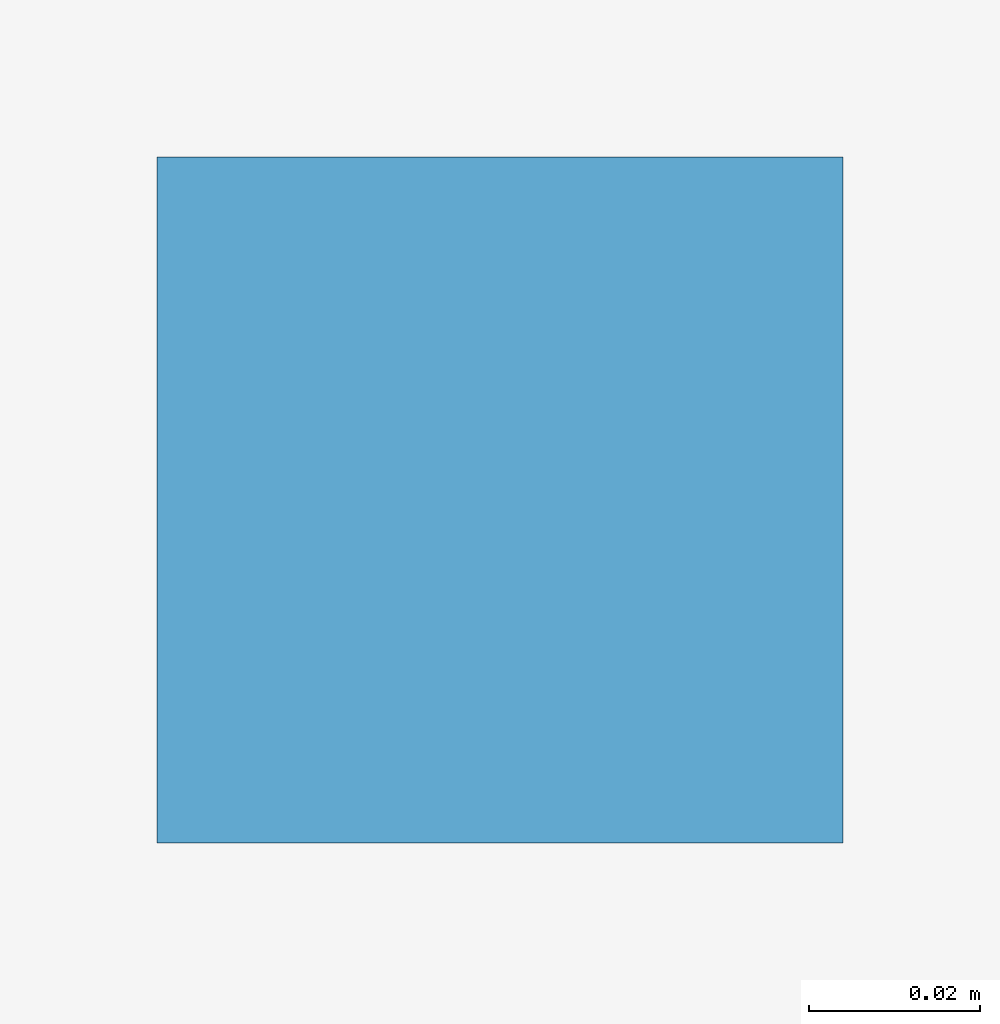
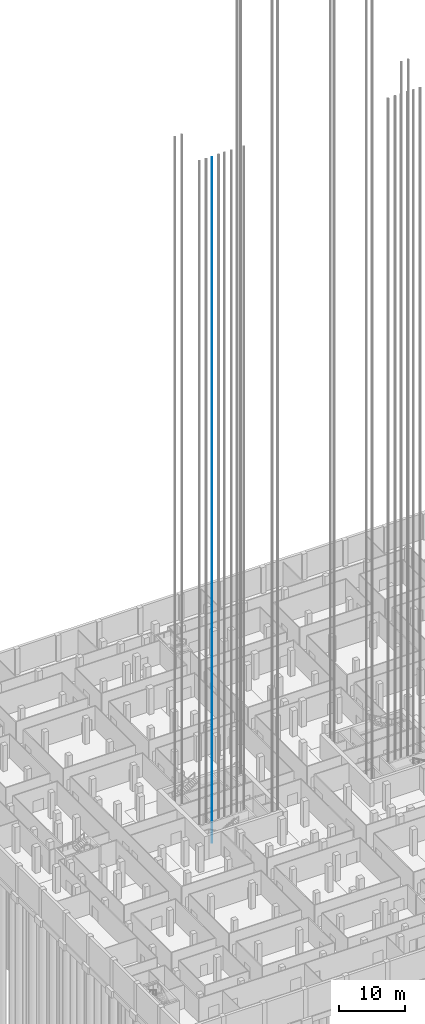
# One storey, part 26 of 54: 1 discrete accessory.
"""IFC4 building model written with IfcOpenShell, lengths in metres."""

from ifc_helpers import new_model, si_unit, direction, frame, origin, origin_2d, place, context, subcontext, project, spatial, rectangle, extrude, material, element, save


model = new_model("IFC4")

# Units and contexts
model_context = context("Model", 3, precision=1e-05, world=origin(), true_north=direction((0.0, 1.0)))
body_context = subcontext(model_context, "Body", "Model", "MODEL_VIEW")
ifc_project = project(units=[si_unit("LENGTHUNIT", "METRE"), si_unit("AREAUNIT", "SQUARE_METRE"), si_unit("VOLUMEUNIT", "CUBIC_METRE"), si_unit("PLANEANGLEUNIT", "RADIAN"), si_unit("MASSUNIT", "GRAM", prefix="KILO")], contexts=[model_context])

# Site, building, storey
site_placement = place(None, origin())
site = spatial("IfcSite", under=ifc_project, at=site_placement, CompositionType="ELEMENT")
building_placement = place(site_placement, origin())
building = spatial("IfcBuilding", under=site, at=building_placement, Name="Fustian Cross Tower", CompositionType="ELEMENT")
storey_placement = place(building_placement, frame((0.0, 0.0, -4.800048828125)))
storey = spatial("IfcBuildingStorey", under=building, at=storey_placement, Name="B1", CompositionType="ELEMENT", Elevation=-4.800048828125)

# Discrete accessory
ifc_material = material(Name="Steel S355", Category="steel")
discrete_accessory_placement = place(storey_placement, frame((-18.27490234375, -3.7099609375, 0.0), z_axis=(0.0, 0.0, 1.0), x_axis=(1.0, 0.0, 0.0)))
element("IfcDiscreteAccessory", 1, at=discrete_accessory_placement, inside=storey, material=ifc_material, Name="Lift guide rail LR3W 1", PredefinedType="NOTDEFINED", context=body_context, shape_type="SweptSolid", body=[
    extrude(rectangle(XDim=0.080078125, YDim=0.080078125, at=origin_2d()), origin(), (0.0, 0.0, 1.0), 127.14990234375),
])

save(model, "model.ifc")
